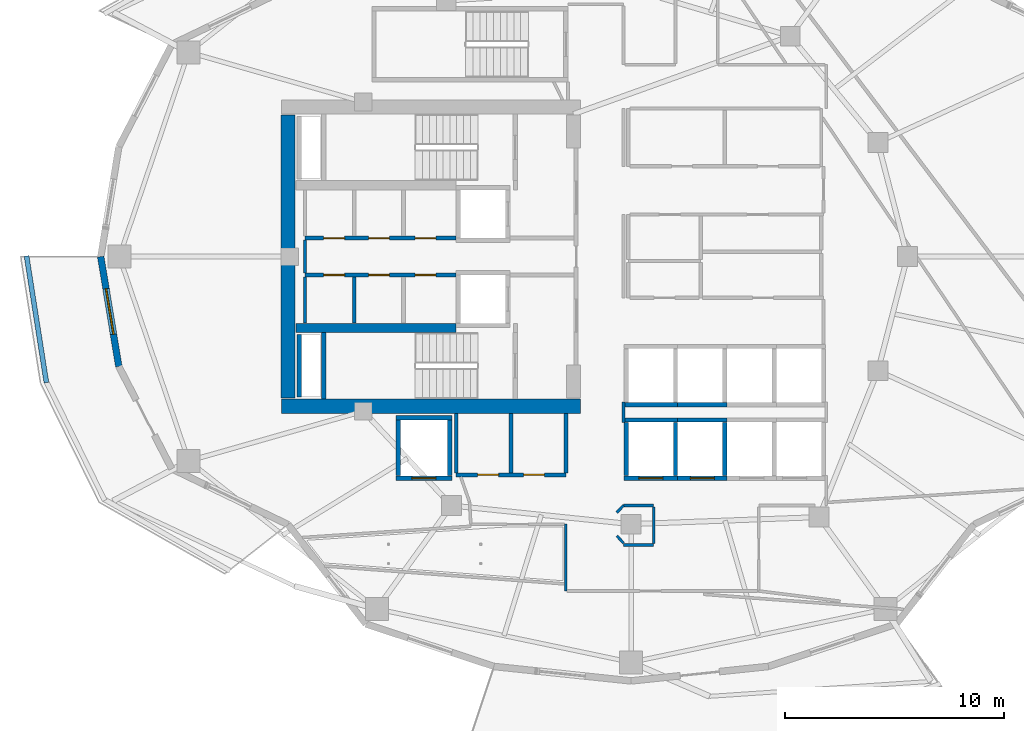
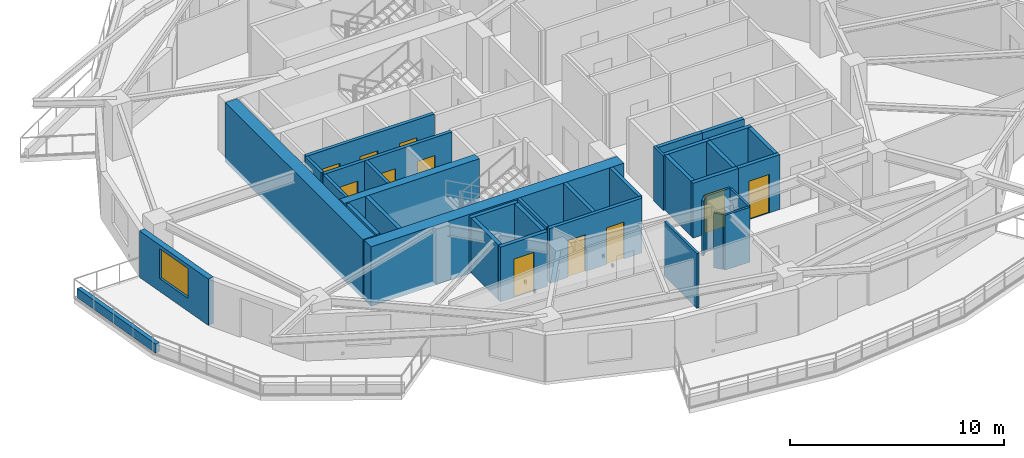
# One storey, part 3 of 17: 36 walls, 11 doors, 1 window, 12 openings.
"""IFC4 building model written with IfcOpenShell, lengths in metres."""

import ifcopenshell
import ifcopenshell.guid

model = None  # the IFC model being written
_history = None  # IfcOwnerHistory: only IFC2X3 demands one
_inside = {}  # id of a spatial element -> (the spatial element, [elements in it])
_under = {}  # id of a project, library or spatial element -> (it, [spatial elements below it])
_declared = {}  # id of a project -> (the project, [libraries it declares])
_typed = {}  # id of a type object -> (the type object, [elements of that type])
_made_of = {}  # id of a material, layer set ... -> (it, [elements and type objects made of it])


def new_model(schema):
    """Start an empty IFC model of exactly this schema.

    Asked for "IFC4X3", IfcOpenShell would pick the latest addendum, in which some entities
    have other attributes; the version numbers below select the first issue.
    IFC2X3 requires an IfcOwnerHistory on every rooted entity: one is made here for all.
    """
    global model, _history
    if schema == "IFC4X3":
        model = ifcopenshell.file(schema_version=(4, 3, 0, 0))
    else:
        model = ifcopenshell.file(schema=schema)
    _inside.clear()
    _under.clear()
    _declared.clear()
    _typed.clear()
    _made_of.clear()
    _history = None
    if model.schema == "IFC2X3":
        org = make("IfcOrganization", Name="unknown")
        user = make(
            "IfcPersonAndOrganization",
            ThePerson=make("IfcPerson", FamilyName="unknown"),
            TheOrganization=org,
        )
        app = make(
            "IfcApplication",
            ApplicationDeveloper=org,
            Version="unknown",
            ApplicationFullName="unknown",
            ApplicationIdentifier="unknown",
        )
        _history = make(
            "IfcOwnerHistory",
            OwningUser=user,
            OwningApplication=app,
            ChangeAction="ADDED",
            CreationDate=0,
        )
    return model


def make(cls, **values):
    """One entity of the class cls with the attributes given. An attribute that is None is left unset."""
    return model.create_entity(
        cls, **{name: value for name, value in values.items() if value is not None}
    )


def rooted(cls, **values):
    """An entity with a GlobalId (a new one), such as an element, a storey or a relation."""
    return make(cls, GlobalId=ifcopenshell.guid.new(), OwnerHistory=_history, **values)


def si_unit(unit_type, name, prefix=None):
    """IfcSIUnit, for example si_unit("LENGTHUNIT", "METRE", prefix="MILLI")."""
    return make("IfcSIUnit", UnitType=unit_type, Prefix=prefix, Name=name)


def assignment(units):
    """IfcUnitAssignment: the units of a project."""
    return None if units is None else make("IfcUnitAssignment", Units=units)


def point(xyz):
    """IfcCartesianPoint."""
    return None if xyz is None else make("IfcCartesianPoint", Coordinates=xyz)


def direction(xyz):
    """IfcDirection."""
    return None if xyz is None else make("IfcDirection", DirectionRatios=xyz)


def frame(location, z_axis=None, x_axis=None):
    """IfcAxis2Placement3D, a coordinate frame: its origin and axes. An axis left out is left unset."""
    return make(
        "IfcAxis2Placement3D",
        Location=point(location),
        Axis=direction(z_axis),
        RefDirection=direction(x_axis),
    )


def frame_2d(location, x_axis=None):
    """IfcAxis2Placement2D, a coordinate frame in the plane: its origin and x axis."""
    return make(
        "IfcAxis2Placement2D", Location=point(location), RefDirection=direction(x_axis)
    )


def origin():
    """The frame at (0, 0, 0) with its axes left unset."""
    return frame((0.0, 0.0, 0.0))


def place(relative_to, where):
    """IfcLocalPlacement: puts the frame where relative to a parent placement (None: the world)."""
    return make(
        "IfcLocalPlacement", PlacementRelTo=relative_to, RelativePlacement=where
    )


def context(
    kind, dimensions, precision=None, world=None, true_north=None, identifier=None
):
    """IfcGeometricRepresentationContext, for example the 3D "Model" context."""
    return make(
        "IfcGeometricRepresentationContext",
        ContextIdentifier=identifier,
        ContextType=kind,
        CoordinateSpaceDimension=dimensions,
        Precision=precision,
        WorldCoordinateSystem=world,
        TrueNorth=true_north,
    )


def subcontext(parent, identifier, kind, view, scale=None):
    """IfcGeometricRepresentationSubContext, for example "Body" below "Model"."""
    return make(
        "IfcGeometricRepresentationSubContext",
        ContextIdentifier=identifier,
        ContextType=kind,
        ParentContext=parent,
        TargetScale=scale,
        TargetView=view,
    )


def project(units=None, contexts=None):
    """IfcProject with its units and contexts."""
    return rooted(
        "IfcProject",
        Name="project",
        RepresentationContexts=contexts,
        UnitsInContext=assignment(units),
    )


def spatial(cls, under=None, at=None, **own):
    """A site, building, storey or space (cls), placed at a placement, below another one or the project."""
    s = rooted(cls, ObjectPlacement=at, **own)
    if under is not None:
        _under.setdefault(under.id(), (under, []))[1].append(s)
    return s


def profile(cls, at=None, kind="AREA", **sizes):
    """A parametric profile (cls). Its sizes go by their IFC names, for example OverallWidth=200.0."""
    return make(cls, ProfileType=kind, Position=at, **sizes)


def rectangle(**sizes):
    """IfcRectangleProfileDef."""
    return profile("IfcRectangleProfileDef", **sizes)


def extrude(swept, where, along, depth):
    """IfcExtrudedAreaSolid: the profile swept, set in the frame where, extruded along a direction by depth."""
    return make(
        "IfcExtrudedAreaSolid",
        SweptArea=swept,
        Position=where,
        ExtrudedDirection=direction(along),
        Depth=depth,
    )


def shape(context_of_items, identifier, shape_type, items):
    """IfcShapeRepresentation: the items that make up one representation, for example the "Body"."""
    return make(
        "IfcShapeRepresentation",
        ContextOfItems=context_of_items,
        RepresentationIdentifier=identifier,
        RepresentationType=shape_type,
        Items=items,
    )


def material(Name=None, Category=None):
    """IfcMaterial."""
    return make("IfcMaterial", Name=Name, Category=Category)


def layer(
    of_material, thickness, ventilated=None, Name=None, Category=None, Priority=None
):
    """IfcMaterialLayer: one layer of a wall or slab, of a material (None: an air gap)."""
    return make(
        "IfcMaterialLayer",
        Material=of_material,
        LayerThickness=thickness,
        IsVentilated=ventilated,
        Name=Name,
        Category=Category,
        Priority=Priority,
    )


def layer_set(layers, Name=None):
    """IfcMaterialLayerSet."""
    return make("IfcMaterialLayerSet", MaterialLayers=layers, LayerSetName=Name)


def made_of(thing, what):
    """Note that an element or type object is made of a material, layer set ...; save() writes the relation."""
    if what is not None:
        _made_of.setdefault(what.id(), (what, []))[1].append(thing)
    return thing


def type_object(cls, material=None, **own):
    """A type object (cls), such as IfcWallType, which elements share."""
    return made_of(rooted(cls, **own), material)


def element(
    cls,
    number,
    at=None,
    inside=None,
    cuts=None,
    type_object=None,
    material=None,
    context=None,
    identifier="Body",
    shape_type=None,
    held_by="IfcProductDefinitionShape",
    body=None,
    shapes=None,
    **own,
):
    """One element of the class cls, such as IfcWall. Its Tag is "e" and its number.

    at: its placement. inside: the storey or other place that contains it. cuts: it is an
    opening in that element (IfcRelVoidsElement). A single representation is given by context,
    identifier, shape_type and body (its items); several are given by shapes. held_by: the class
    of the entity that holds the representations. save() writes the other relations.
    """
    e = rooted(cls, Tag="e%d" % number, ObjectPlacement=at, **own)
    if body is not None:
        shapes = [shape(context, identifier, shape_type, body)]
    if shapes is not None:
        e.Representation = make(held_by, Representations=shapes)
    if inside is not None:
        _inside.setdefault(inside.id(), (inside, []))[1].append(e)
    if cuts is not None:
        rooted(
            "IfcRelVoidsElement", RelatingBuildingElement=cuts, RelatedOpeningElement=e
        )
    if type_object is not None:
        _typed.setdefault(type_object.id(), (type_object, []))[1].append(e)
    return made_of(e, material)


def fill(opening, filler):
    """IfcRelFillsElement: the door or window that sits in an opening."""
    return rooted(
        "IfcRelFillsElement",
        RelatingOpeningElement=opening,
        RelatedBuildingElement=filler,
    )


def aggregate(whole, parts):
    """IfcRelAggregates: a whole, such as a stair, and the parts it consists of."""
    return rooted("IfcRelAggregates", RelatingObject=whole, RelatedObjects=parts)


def save(model, path):
    """Write the relations noted so far, then the file.

    IfcRelAggregates (storeys below a building ...), IfcRelContainedInSpatialStructure (elements
    in a storey), IfcRelDefinesByType, IfcRelAssociatesMaterial and IfcRelDeclares: one each for
    every whole, place, type object, material and project.
    """
    for whole, parts in _under.values():
        aggregate(whole, parts)
    for where, things in _inside.values():
        rooted(
            "IfcRelContainedInSpatialStructure",
            RelatedElements=things,
            RelatingStructure=where,
        )
    for kind, things in _typed.values():
        rooted("IfcRelDefinesByType", RelatedObjects=things, RelatingType=kind)
    for what, things in _made_of.values():
        rooted("IfcRelAssociatesMaterial", RelatedObjects=things, RelatingMaterial=what)
    for by, libraries in _declared.values():
        rooted("IfcRelDeclares", RelatingContext=by, RelatedDefinitions=libraries)
    model.write(path)


model = new_model("IFC4")

# Units and contexts
model_context = context("Model", 3, precision=1e-05, world=origin(), true_north=direction((0.0, 1.0)))
body_context = subcontext(model_context, "Body", "Model", "MODEL_VIEW")
ifc_project = project(units=[si_unit("LENGTHUNIT", "METRE"), si_unit("AREAUNIT", "SQUARE_METRE"), si_unit("VOLUMEUNIT", "CUBIC_METRE"), si_unit("PLANEANGLEUNIT", "RADIAN"), si_unit("MASSUNIT", "GRAM", prefix="KILO")], contexts=[model_context])

# Site, building, storey
site_placement = place(None, origin())
site = spatial("IfcSite", under=ifc_project, at=site_placement, CompositionType="ELEMENT")
building_placement = place(site_placement, origin())
building = spatial("IfcBuilding", under=site, at=building_placement, Name="Kolvaren Gate Tower and Convention Centre", CompositionType="ELEMENT")
storey_placement = place(building_placement, frame((0.0, 0.0, 125.699951171875)))
storey = spatial("IfcBuildingStorey", under=building, at=storey_placement, Name="L31", CompositionType="ELEMENT", Elevation=125.699951171875)

# Wall, openings, doors
ifc_material_1 = material(Name="Autoclaved Aerated Masonry Blockwork Class 4 (4.0 MPa)", Category="masonry")
ifc_layer_1 = layer(ifc_material_1, 0.179931640625)
ifc_layer_set_1 = layer_set([ifc_layer_1], Name="Autoclaved Aerated Masonry Blockwork Class 4 (4.0 MPa)")
wall_type_1 = type_object("IfcWallType", Name="ARCH-WL-COMP-180", PredefinedType="SOLIDWALL", material=ifc_layer_set_1)
wall_1_placement = place(storey_placement, frame((15.25, 27.840087890625, 0.0), z_axis=(0.0, 0.0, 1.0), x_axis=(1.0, 0.0, 0.0)))
wall_1 = element("IfcWall", 1, at=wall_1_placement, inside=storey, type_object=wall_type_1, Name="Interior Partition WL-L31-INT-005", PredefinedType="SOLIDWALL", context=body_context, shape_type="SweptSolid", body=[
    extrude(rectangle(XDim=6.89990234375, YDim=0.179931640625, at=frame_2d((3.449951171875, 0.0))), origin(), (0.0, 0.0, 1.0), 3.130126953125),
])
opening_1_placement = place(wall_1_placement, frame((5.02001953125, 0.0, 0.0)))
opening_1 = element("IfcOpeningElement", 2, at=opening_1_placement, cuts=wall_1, Name="Opening DR-01", PredefinedType="OPENING", context=body_context, shape_type="SweptSolid", body=[
    extrude(rectangle(XDim=0.949951171875, YDim=2.10009765625, at=frame_2d((0.47509765625, 1.050048828125))), frame((0.0, 0.099853515625, 0.0), z_axis=(0.0, -1.0, 0.0), x_axis=(1.0, 0.0, 0.0)), (0.0, 0.0, 1.0), 0.199951171875),
])
opening_2_placement = place(wall_1_placement, frame((0.85498046875, 0.0, 0.0)))
opening_2 = element("IfcOpeningElement", 3, at=opening_2_placement, cuts=wall_1, Name="Opening DR-01", PredefinedType="OPENING", context=body_context, shape_type="SweptSolid", body=[
    extrude(rectangle(XDim=0.949951171875, YDim=2.10009765625, at=frame_2d((0.47509765625, 1.050048828125))), frame((0.0, 0.099853515625, 0.0), z_axis=(0.0, -1.0, 0.0), x_axis=(1.0, 0.0, 0.0)), (0.0, 0.0, 1.0), 0.199951171875),
])
opening_3_placement = place(wall_1_placement, frame((2.89990234375, 0.0, 0.0)))
opening_3 = element("IfcOpeningElement", 4, at=opening_3_placement, cuts=wall_1, Name="Opening DR-01", PredefinedType="OPENING", context=body_context, shape_type="SweptSolid", body=[
    extrude(rectangle(XDim=0.949951171875, YDim=2.10009765625, at=frame_2d((0.47509765625, 1.050048828125))), frame((0.0, 0.099853515625, 0.0), z_axis=(0.0, -1.0, 0.0), x_axis=(1.0, 0.0, 0.0)), (0.0, 0.0, 1.0), 0.199951171875),
])
ifc_material_2 = material(Name="Painted Architectural Steelwork ASTM A500 Grade C 345 MPa", Category="steel")
door_type_1 = type_object("IfcDoorType", Name="ARCH-DR-RISER-950", OperationType="SINGLE_SWING_RIGHT", PredefinedType="DOOR", material=ifc_material_2)
door_1_placement = place(opening_1_placement, origin())
door_1 = element("IfcDoor", 5, at=door_1_placement, inside=storey, type_object=door_type_1, Name="Electrical Switchgear Closet Door", OperationType="SINGLE_SWING_RIGHT", OverallHeight=2.10009765625, OverallWidth=0.949951171875, PredefinedType="DOOR", context=body_context, shape_type="SweptSolid", body=[
    extrude(rectangle(XDim=0.949951171875, YDim=2.10009765625, at=frame_2d((0.47509765625, 1.050048828125))), frame((0.0, 0.02490234375, 0.0), z_axis=(0.0, -1.0, 0.0), x_axis=(1.0, 0.0, 0.0)), (0.0, 0.0, 1.0), 0.050048828125),
])
fill(opening_1, door_1)
door_2_placement = place(opening_2_placement, origin())
door_2 = element("IfcDoor", 6, at=door_2_placement, inside=storey, type_object=door_type_1, Name="Staff Accessible WC Door", OperationType="SINGLE_SWING_RIGHT", OverallHeight=2.10009765625, OverallWidth=0.949951171875, PredefinedType="DOOR", context=body_context, shape_type="SweptSolid", body=[
    extrude(rectangle(XDim=0.949951171875, YDim=2.10009765625, at=frame_2d((0.47509765625, 1.050048828125))), frame((0.0, 0.02490234375, 0.0), z_axis=(0.0, -1.0, 0.0), x_axis=(1.0, 0.0, 0.0)), (0.0, 0.0, 1.0), 0.050048828125),
])
fill(opening_2, door_2)
door_3_placement = place(opening_3_placement, origin())
door_3 = element("IfcDoor", 7, at=door_3_placement, inside=storey, type_object=door_type_1, Name="Housekeeping Sink Closet Door", OperationType="SINGLE_SWING_LEFT", OverallHeight=2.10009765625, OverallWidth=0.949951171875, PredefinedType="DOOR", context=body_context, shape_type="SweptSolid", body=[
    extrude(rectangle(XDim=0.949951171875, YDim=2.10009765625, at=frame_2d((0.47509765625, 1.050048828125))), frame((0.0, 0.02490234375, 0.0), z_axis=(0.0, -1.0, 0.0), x_axis=(1.0, 0.0, 0.0)), (0.0, 0.0, 1.0), 0.050048828125),
])
fill(opening_3, door_3)

wall_2_placement = place(storey_placement, frame((15.25, 26.159912109375, 0.0), z_axis=(0.0, 0.0, 1.0), x_axis=(1.0, 0.0, 0.0)))
wall_2 = element("IfcWall", 8, at=wall_2_placement, inside=storey, type_object=wall_type_1, Name="Interior Partition WL-L31-INT-006", PredefinedType="SOLIDWALL", context=body_context, shape_type="SweptSolid", body=[
    extrude(rectangle(XDim=6.89990234375, YDim=0.179931640625, at=frame_2d((3.449951171875, 0.0))), origin(), (0.0, 0.0, 1.0), 3.130126953125),
])
opening_4_placement = place(wall_2_placement, frame((5.02001953125, 0.0, 0.0)))
opening_4 = element("IfcOpeningElement", 9, at=opening_4_placement, cuts=wall_2, Name="Opening DR-01", PredefinedType="OPENING", context=body_context, shape_type="SweptSolid", body=[
    extrude(rectangle(XDim=0.949951171875, YDim=2.10009765625, at=frame_2d((0.47509765625, 1.050048828125))), frame((0.0, 0.099853515625, 0.0), z_axis=(0.0, -1.0, 0.0), x_axis=(1.0, 0.0, 0.0)), (0.0, 0.0, 1.0), 0.199951171875),
])
opening_5_placement = place(wall_2_placement, frame((0.85498046875, 0.0, 0.0)))
opening_5 = element("IfcOpeningElement", 10, at=opening_5_placement, cuts=wall_2, Name="Opening DR-01", PredefinedType="OPENING", context=body_context, shape_type="SweptSolid", body=[
    extrude(rectangle(XDim=0.949951171875, YDim=2.10009765625, at=frame_2d((0.47509765625, 1.050048828125))), frame((0.0, 0.099853515625, 0.0), z_axis=(0.0, -1.0, 0.0), x_axis=(1.0, 0.0, 0.0)), (0.0, 0.0, 1.0), 0.199951171875),
])
opening_6_placement = place(wall_2_placement, frame((2.89990234375, 0.0, 0.0)))
opening_6 = element("IfcOpeningElement", 11, at=opening_6_placement, cuts=wall_2, Name="Opening DR-01", PredefinedType="OPENING", context=body_context, shape_type="SweptSolid", body=[
    extrude(rectangle(XDim=0.949951171875, YDim=2.10009765625, at=frame_2d((0.47509765625, 1.050048828125))), frame((0.0, 0.099853515625, 0.0), z_axis=(0.0, -1.0, 0.0), x_axis=(1.0, 0.0, 0.0)), (0.0, 0.0, 1.0), 0.199951171875),
])
door_4_placement = place(opening_4_placement, origin())
door_4 = element("IfcDoor", 12, at=door_4_placement, inside=storey, type_object=door_type_1, Name="Domestic Water Meter Closet Door", OperationType="SINGLE_SWING_LEFT", OverallHeight=2.10009765625, OverallWidth=0.949951171875, PredefinedType="DOOR", context=body_context, shape_type="SweptSolid", body=[
    extrude(rectangle(XDim=0.949951171875, YDim=2.10009765625, at=frame_2d((0.47509765625, 1.050048828125))), frame((0.0, 0.02490234375, 0.0), z_axis=(0.0, -1.0, 0.0), x_axis=(1.0, 0.0, 0.0)), (0.0, 0.0, 1.0), 0.050048828125),
])
fill(opening_4, door_4)
door_5_placement = place(opening_5_placement, origin())
door_5 = element("IfcDoor", 13, at=door_5_placement, inside=storey, type_object=door_type_1, Name="Beverage Service Pantry Door", OperationType="SINGLE_SWING_RIGHT", OverallHeight=2.10009765625, OverallWidth=0.949951171875, PredefinedType="DOOR", context=body_context, shape_type="SweptSolid", body=[
    extrude(rectangle(XDim=0.949951171875, YDim=2.10009765625, at=frame_2d((0.47509765625, 1.050048828125))), frame((0.0, 0.02490234375, 0.0), z_axis=(0.0, -1.0, 0.0), x_axis=(1.0, 0.0, 0.0)), (0.0, 0.0, 1.0), 0.050048828125),
])
fill(opening_5, door_5)
door_6_placement = place(opening_6_placement, origin())
door_6 = element("IfcDoor", 14, at=door_6_placement, inside=storey, type_object=door_type_1, Name="Archive Supply Closet Door", OperationType="SINGLE_SWING_LEFT", OverallHeight=2.10009765625, OverallWidth=0.949951171875, PredefinedType="DOOR", context=body_context, shape_type="SweptSolid", body=[
    extrude(rectangle(XDim=0.949951171875, YDim=2.10009765625, at=frame_2d((0.47509765625, 1.050048828125))), frame((0.0, 0.02490234375, 0.0), z_axis=(0.0, -1.0, 0.0), x_axis=(1.0, 0.0, 0.0)), (0.0, 0.0, 1.0), 0.050048828125),
])
fill(opening_6, door_6)

wall_3_placement = place(storey_placement, frame((22.14990234375, 17.050048828125, 0.0), z_axis=(0.0, 0.0, 1.0), x_axis=(1.0, 0.0, 0.0)))
wall_3 = element("IfcWall", 15, at=wall_3_placement, inside=storey, type_object=wall_type_1, Name="Interior Partition WL-L31-INT-012", PredefinedType="SOLIDWALL", context=body_context, shape_type="SweptSolid", body=[
    extrude(rectangle(XDim=5.0, YDim=0.179931640625, at=frame_2d((2.5, 0.0))), origin(), (0.0, 0.0, 1.0), 3.130126953125),
])
opening_7_placement = place(wall_3_placement, frame((0.97998046875, 0.0, 0.0)))
opening_7 = element("IfcOpeningElement", 16, at=opening_7_placement, cuts=wall_3, Name="Opening DR-01", PredefinedType="OPENING", context=body_context, shape_type="SweptSolid", body=[
    extrude(rectangle(XDim=0.949951171875, YDim=2.10009765625, at=frame_2d((0.47509765625, 1.050048828125))), frame((0.0, 0.099853515625, 0.0), z_axis=(0.0, -1.0, 0.0), x_axis=(1.0, 0.0, 0.0)), (0.0, 0.0, 1.0), 0.199951171875),
])
opening_8_placement = place(wall_3_placement, frame((3.070068359375, 0.0, 0.0)))
opening_8 = element("IfcOpeningElement", 17, at=opening_8_placement, cuts=wall_3, Name="Opening DR-01", PredefinedType="OPENING", context=body_context, shape_type="SweptSolid", body=[
    extrude(rectangle(XDim=0.949951171875, YDim=2.10009765625, at=frame_2d((0.47509765625, 1.050048828125))), frame((0.0, 0.099853515625, 0.0), z_axis=(0.0, -1.0, 0.0), x_axis=(1.0, 0.0, 0.0)), (0.0, 0.0, 1.0), 0.199951171875),
])
door_7_placement = place(opening_7_placement, origin())
door_7 = element("IfcDoor", 18, at=door_7_placement, inside=storey, type_object=door_type_1, Name="West Valet Store Door", OperationType="SINGLE_SWING_RIGHT", OverallHeight=2.10009765625, OverallWidth=0.949951171875, PredefinedType="DOOR", context=body_context, shape_type="SweptSolid", body=[
    extrude(rectangle(XDim=0.949951171875, YDim=2.10009765625, at=frame_2d((0.47509765625, 1.050048828125))), frame((0.0, 0.02490234375, 0.0), z_axis=(0.0, -1.0, 0.0), x_axis=(1.0, 0.0, 0.0)), (0.0, 0.0, 1.0), 0.050048828125),
])
fill(opening_7, door_7)
door_8_placement = place(opening_8_placement, origin())
door_8 = element("IfcDoor", 19, at=door_8_placement, inside=storey, type_object=door_type_1, Name="Metering Switch Room Door", OperationType="SINGLE_SWING_LEFT", OverallHeight=2.10009765625, OverallWidth=0.949951171875, PredefinedType="DOOR", context=body_context, shape_type="SweptSolid", body=[
    extrude(rectangle(XDim=0.949951171875, YDim=2.10009765625, at=frame_2d((0.47509765625, 1.050048828125))), frame((0.0, 0.02490234375, 0.0), z_axis=(0.0, -1.0, 0.0), x_axis=(1.0, 0.0, 0.0)), (0.0, 0.0, 1.0), 0.050048828125),
])
fill(opening_8, door_8)

# Walls
for number, where, z_axis, x_axis, name in (
    (20, (24.64990234375, 17.14208984375, 0.0), (0.0, 0.0, 1.0), (0.0, 1.0, 0.0), "Interior Partition WL-L31-INT-014"),
    (21, (27.14990234375, 17.14208984375, 0.0), (0.0, 0.0, 1.0), (0.0, 1.0, 0.0), "Interior Partition WL-L31-INT-016"),
):
    element("IfcWall", number, at=place(storey_placement, frame(where, z_axis=z_axis, x_axis=x_axis)), inside=storey, type_object=wall_type_1, Name=name, PredefinedType="SOLIDWALL", context=body_context, shape_type="SweptSolid", body=[
        extrude(rectangle(XDim=2.705810546875, YDim=0.179931640625, at=frame_2d((1.35302734375, 0.0))), origin(), (0.0, 0.0, 1.0), 3.130126953125),
    ])
ifc_material_3 = material(Name="Fire-Rated Acoustic Gypsum Stud Partition", Category="gypsum")
ifc_layer_2 = layer(ifc_material_3, 0.1201171875)
ifc_layer_set_2 = layer_set([ifc_layer_2], Name="Fire-Rated Acoustic Gypsum Stud Partition")
wall_type_2 = type_object("IfcWallType", Name="ARCH-WL-PART-120", PredefinedType="PARTITIONING", material=ifc_layer_set_2)
wall_4_placement = place(storey_placement, frame((27.14990234375, 11.75, 0.0), z_axis=(0.0, 0.0, 1.0), x_axis=(0.0, 1.0, 0.0)))
element("IfcWall", 22, at=wall_4_placement, inside=storey, type_object=wall_type_2, Name="Interior Partition WL-L31-INT-015", PredefinedType="PARTITIONING", context=body_context, shape_type="SweptSolid", body=[
    extrude(rectangle(XDim=3.050048828125, YDim=0.1201171875, at=frame_2d((1.52490234375, 0.0))), origin(), (0.0, 0.0, 1.0), 3.130126953125),
])
wall_5_placement = place(storey_placement, frame((29.780029296875, 15.64990234375, 0.0), z_axis=(0.0, 0.0, 1.0), x_axis=(1.0, 0.0, 0.0)))
element("IfcWall", 23, at=wall_5_placement, inside=storey, type_object=wall_type_2, Name="Interior Partition WL-L31-INT-031", PredefinedType="PARTITIONING", context=body_context, shape_type="SweptSolid", body=[
    extrude(rectangle(XDim=1.369873046875, YDim=0.1201171875, at=frame_2d((0.68505859375, 0.0))), origin(), (0.0, 0.0, 1.0), 3.130126953125),
])
wall_6_placement = place(storey_placement, frame((29.780029296875, 19.43994140625, 0.0), z_axis=(0.0, 0.0, 1.0), x_axis=(0.0, 1.0, 0.0)))
element("IfcWall", 24, at=wall_6_placement, inside=storey, type_object=wall_type_2, Name="Interior Partition WL-L31-INT-041", PredefinedType="PARTITIONING", context=body_context, shape_type="SweptSolid", body=[
    extrude(rectangle(XDim=0.920166015625, YDim=0.1201171875, at=frame_2d((0.4599609375, 0.0))), origin(), (0.0, 0.0, 1.0), 3.130126953125),
])
wall_7_placement = place(storey_placement, frame((29.47607421875, 15.3330078125, 0.0), z_axis=(0.0, 0.0, 1.0), x_axis=(0.692219273951, 0.721687243043, 0.0)))
element("IfcWall", 25, at=wall_7_placement, inside=storey, type_object=wall_type_2, Name="Interior Partition WL-L31-INT-057", PredefinedType="PARTITIONING", context=body_context, shape_type="SweptSolid", body=[
    extrude(rectangle(XDim=0.439208984375, YDim=0.1201171875, at=frame_2d((0.2197265625, 0.0))), origin(), (0.0, 0.0, 1.0), 3.130126953125),
])
wall_8_placement = place(storey_placement, frame((29.47607421875, 14.26708984375, 0.0), z_axis=(0.0, 0.0, 1.0), x_axis=(0.670659392016, -0.741765448037, 0.0)))
element("IfcWall", 26, at=wall_8_placement, inside=storey, type_object=wall_type_2, Name="Interior Partition WL-L31-INT-058", PredefinedType="PARTITIONING", context=body_context, shape_type="SweptSolid", body=[
    extrude(rectangle(XDim=0.453125, YDim=0.1201171875, at=frame_2d((0.2265625, 0.0))), origin(), (0.0, 0.0, 1.0), 3.130126953125),
])
wall_9_placement = place(storey_placement, frame((29.780029296875, 13.85009765625, 0.0), z_axis=(0.0, 0.0, 1.0), x_axis=(1.0, 0.0, 0.0)))
element("IfcWall", 27, at=wall_9_placement, inside=storey, type_object=wall_type_2, Name="Interior Partition WL-L31-INT-059", PredefinedType="PARTITIONING", context=body_context, shape_type="SweptSolid", body=[
    extrude(rectangle(XDim=1.369873046875, YDim=0.1201171875, at=frame_2d((0.68505859375, 0.0))), origin(), (0.0, 0.0, 1.0), 3.130126953125),
])
wall_10_placement = place(storey_placement, frame((31.14990234375, 13.912109375, 0.0), z_axis=(0.0, 0.0, 1.0), x_axis=(0.0, 1.0, 0.0)))
element("IfcWall", 28, at=wall_10_placement, inside=storey, type_object=wall_type_2, Name="Interior Partition WL-L31-INT-060", PredefinedType="PARTITIONING", context=body_context, shape_type="SweptSolid", body=[
    extrude(rectangle(XDim=1.67578125, YDim=0.1201171875, at=frame_2d((0.837890625, 0.0))), origin(), (0.0, 0.0, 1.0), 3.130126953125),
])
ifc_material_4 = material(Name="Piedmont Cream Honed Limestone Cladding", Category="masonry")
ifc_layer_3 = layer(ifc_material_4, 0.219970703125)
ifc_layer_set_3 = layer_set([ifc_layer_3], Name="Piedmont Cream Honed Limestone Cladding")
wall_type_3 = type_object("IfcWallType", Name="ARCH-WL-PLANTER-220", PredefinedType="PARAPET", material=ifc_layer_set_3)
wall_11_placement = place(storey_placement, frame((2.555908203125, 27.029296875, 0.0), z_axis=(0.0, 0.0, 1.0), x_axis=(0.154903030247, -0.987929679289, 0.0)))
element("IfcWall", 29, at=wall_11_placement, inside=storey, type_object=wall_type_3, Name="Vertical-Forest Balcony Stone Planter Kerb PK-L31-2.1", PredefinedType="PARAPET", context=body_context, shape_type="SweptSolid", body=[
    extrude(rectangle(XDim=5.845703125, YDim=0.219970703125, at=frame_2d((2.9228515625, 0.0))), origin(), (0.0, 0.0, 1.0), 0.52001953125),
])
ifc_layer_4 = layer(ifc_material_1, 0.199951171875)
ifc_layer_set_4 = layer_set([ifc_layer_4], Name="Autoclaved Aerated Masonry Blockwork Class 4 (4.0 MPa)")
wall_type_4 = type_object("IfcWallType", Name="ARCH-WL-SHAFT-200", PredefinedType="SOLIDWALL", material=ifc_layer_set_4)
wall_12_placement = place(storey_placement, frame((19.39990234375, 19.64990234375, 0.0), z_axis=(0.0, 0.0, 1.0), x_axis=(1.0, 0.0, 0.0)))
element("IfcWall", 30, at=wall_12_placement, inside=storey, type_object=wall_type_4, Name="Elevator SV-01 L31 Fire Shaft Wall N", PredefinedType="SOLIDWALL", context=body_context, shape_type="SweptSolid", body=[
    extrude(rectangle(XDim=2.550048828125, YDim=0.199951171875, at=frame_2d((1.27490234375, 0.0))), origin(), (0.0, 0.0, 1.0), 3.130126953125),
])

# Wall, opening, door
wall_13_placement = place(storey_placement, frame((19.39990234375, 16.89990234375, 0.0), z_axis=(0.0, 0.0, 1.0), x_axis=(1.0, 0.0, 0.0)))
wall_13 = element("IfcWall", 31, at=wall_13_placement, inside=storey, type_object=wall_type_4, Name="Elevator SV-01 L31 Fire Shaft Wall S", PredefinedType="SOLIDWALL", context=body_context, shape_type="SweptSolid", body=[
    extrude(rectangle(XDim=2.550048828125, YDim=0.199951171875, at=frame_2d((1.27490234375, 0.0))), origin(), (0.0, 0.0, 1.0), 3.130126953125),
])
opening_9_placement = place(wall_13_placement, frame((0.72509765625, 0.0, 0.0)))
opening_9 = element("IfcOpeningElement", 32, at=opening_9_placement, cuts=wall_13, Name="Opening LD", PredefinedType="OPENING", context=body_context, shape_type="SweptSolid", body=[
    extrude(rectangle(XDim=1.10009765625, YDim=2.199951171875, at=frame_2d((0.550048828125, 1.10009765625))), frame((0.0, 0.10986328125, 0.0), z_axis=(0.0, -1.0, 0.0), x_axis=(1.0, 0.0, 0.0)), (0.0, 0.0, 1.0), 0.219970703125),
])
ifc_material_5 = material(Name="Brushed Stainless Steel Grade 316L", Category="steel")
door_type_2 = type_object("IfcDoorType", Name="ARCH-DR-LIFT-1100", OperationType="SLIDING_TO_LEFT", PredefinedType="DOOR", material=ifc_material_5)
door_9_placement = place(opening_9_placement, origin())
door_9 = element("IfcDoor", 33, at=door_9_placement, inside=storey, type_object=door_type_2, Name="Elevator SV-01 L31 Sliding Landing Door", OperationType="SLIDING_TO_LEFT", OverallHeight=2.199951171875, OverallWidth=1.10009765625, PredefinedType="DOOR", context=body_context, shape_type="SweptSolid", body=[
    extrude(rectangle(XDim=1.10009765625, YDim=2.199951171875, at=frame_2d((0.550048828125, 1.10009765625))), frame((0.0, 0.02490234375, 0.0), z_axis=(0.0, -1.0, 0.0), x_axis=(1.0, 0.0, 0.0)), (0.0, 0.0, 1.0), 0.050048828125),
])
fill(opening_9, door_9)

# Walls
for number, where, z_axis, x_axis, name in (
    (34, (19.5, 17.010009765625, 0.0), (0.0, 0.0, 1.0), (0.0, 1.0, 0.0), "Elevator SV-01 L31 Fire Shaft Wall W"),
    (35, (21.85009765625, 17.010009765625, 0.0), (0.0, 0.0, 1.0), (0.0, 1.0, 0.0), "Elevator SV-01 L31 Fire Shaft Wall E"),
):
    element("IfcWall", number, at=place(storey_placement, frame(where, z_axis=z_axis, x_axis=x_axis)), inside=storey, type_object=wall_type_4, Name=name, PredefinedType="SOLIDWALL", context=body_context, shape_type="SweptSolid", body=[
        extrude(rectangle(XDim=2.530029296875, YDim=0.199951171875, at=frame_2d((1.26513671875, 0.0))), origin(), (0.0, 0.0, 1.0), 3.130126953125),
    ])
wall_14_placement = place(storey_placement, frame((29.800048828125, 19.550048828125, 0.0), z_axis=(0.0, 0.0, 1.0), x_axis=(1.0, 0.0, 0.0)))
element("IfcWall", 36, at=wall_14_placement, inside=storey, type_object=wall_type_4, Name="Elevator PL-05 L31 Fire Shaft Wall N", PredefinedType="SOLIDWALL", context=body_context, shape_type="SweptSolid", body=[
    extrude(rectangle(XDim=2.449951171875, YDim=0.199951171875, at=frame_2d((1.22509765625, 0.0))), origin(), (0.0, 0.0, 1.0), 3.130126953125),
])

# Wall, opening, door
wall_15_placement = place(storey_placement, frame((29.800048828125, 16.89990234375, 0.0), z_axis=(0.0, 0.0, 1.0), x_axis=(1.0, 0.0, 0.0)))
wall_15 = element("IfcWall", 37, at=wall_15_placement, inside=storey, type_object=wall_type_4, Name="Elevator PL-05 L31 Fire Shaft Wall S", PredefinedType="SOLIDWALL", context=body_context, shape_type="SweptSolid", body=[
    extrude(rectangle(XDim=2.449951171875, YDim=0.199951171875, at=frame_2d((1.22509765625, 0.0))), origin(), (0.0, 0.0, 1.0), 3.130126953125),
])
opening_10_placement = place(wall_15_placement, frame((0.675048828125, 0.0, 0.0)))
opening_10 = element("IfcOpeningElement", 38, at=opening_10_placement, cuts=wall_15, Name="Opening LD", PredefinedType="OPENING", context=body_context, shape_type="SweptSolid", body=[
    extrude(rectangle(XDim=1.10009765625, YDim=2.199951171875, at=frame_2d((0.550048828125, 1.10009765625))), frame((0.0, 0.10986328125, 0.0), z_axis=(0.0, -1.0, 0.0), x_axis=(1.0, 0.0, 0.0)), (0.0, 0.0, 1.0), 0.219970703125),
])
door_10_placement = place(opening_10_placement, origin())
door_10 = element("IfcDoor", 39, at=door_10_placement, inside=storey, type_object=door_type_2, Name="Elevator PL-05 L31 Sliding Landing Door", OperationType="SLIDING_TO_LEFT", OverallHeight=2.199951171875, OverallWidth=1.10009765625, PredefinedType="DOOR", context=body_context, shape_type="SweptSolid", body=[
    extrude(rectangle(XDim=1.10009765625, YDim=2.199951171875, at=frame_2d((0.550048828125, 1.10009765625))), frame((0.0, 0.02490234375, 0.0), z_axis=(0.0, -1.0, 0.0), x_axis=(1.0, 0.0, 0.0)), (0.0, 0.0, 1.0), 0.050048828125),
])
fill(opening_10, door_10)

# Walls
for number, where, z_axis, x_axis, name in (
    (40, (29.89990234375, 17.010009765625, 0.0), (0.0, 0.0, 1.0), (0.0, 1.0, 0.0), "Elevator PL-05 L31 Fire Shaft Wall W"),
    (41, (32.14990234375, 17.010009765625, 0.0), (0.0, 0.0, 1.0), (0.0, 1.0, 0.0), "Elevator PL-05 L31 Fire Shaft Wall E"),
):
    element("IfcWall", number, at=place(storey_placement, frame(where, z_axis=z_axis, x_axis=x_axis)), inside=storey, type_object=wall_type_4, Name=name, PredefinedType="SOLIDWALL", context=body_context, shape_type="SweptSolid", body=[
        extrude(rectangle(XDim=2.429931640625, YDim=0.199951171875, at=frame_2d((1.21484375, 0.0))), origin(), (0.0, 0.0, 1.0), 3.130126953125),
    ])
wall_16_placement = place(storey_placement, frame((32.25, 19.550048828125, 0.0), z_axis=(0.0, 0.0, 1.0), x_axis=(1.0, 0.0, 0.0)))
element("IfcWall", 42, at=wall_16_placement, inside=storey, type_object=wall_type_4, Name="Elevator PL-06 L31 Fire Shaft Wall N", PredefinedType="SOLIDWALL", context=body_context, shape_type="SweptSolid", body=[
    extrude(rectangle(XDim=2.25, YDim=0.199951171875, at=frame_2d((1.125, 0.0))), origin(), (0.0, 0.0, 1.0), 3.130126953125),
])

# Wall, opening, door
wall_17_placement = place(storey_placement, frame((32.25, 16.89990234375, 0.0), z_axis=(0.0, 0.0, 1.0), x_axis=(1.0, 0.0, 0.0)))
wall_17 = element("IfcWall", 43, at=wall_17_placement, inside=storey, type_object=wall_type_4, Name="Elevator PL-06 L31 Fire Shaft Wall S", PredefinedType="SOLIDWALL", context=body_context, shape_type="SweptSolid", body=[
    extrude(rectangle(XDim=2.25, YDim=0.199951171875, at=frame_2d((1.125, 0.0))), origin(), (0.0, 0.0, 1.0), 3.130126953125),
])
opening_11_placement = place(wall_17_placement, frame((0.574951171875, 0.0, 0.0)))
opening_11 = element("IfcOpeningElement", 44, at=opening_11_placement, cuts=wall_17, Name="Opening LD", PredefinedType="OPENING", context=body_context, shape_type="SweptSolid", body=[
    extrude(rectangle(XDim=1.10009765625, YDim=2.199951171875, at=frame_2d((0.550048828125, 1.10009765625))), frame((0.0, 0.10986328125, 0.0), z_axis=(0.0, -1.0, 0.0), x_axis=(1.0, 0.0, 0.0)), (0.0, 0.0, 1.0), 0.219970703125),
])
door_11_placement = place(opening_11_placement, origin())
door_11 = element("IfcDoor", 45, at=door_11_placement, inside=storey, type_object=door_type_2, Name="Elevator PL-06 L31 Sliding Landing Door", OperationType="SLIDING_TO_LEFT", OverallHeight=2.199951171875, OverallWidth=1.10009765625, PredefinedType="DOOR", context=body_context, shape_type="SweptSolid", body=[
    extrude(rectangle(XDim=1.10009765625, YDim=2.199951171875, at=frame_2d((0.550048828125, 1.10009765625))), frame((0.0, 0.02490234375, 0.0), z_axis=(0.0, -1.0, 0.0), x_axis=(1.0, 0.0, 0.0)), (0.0, 0.0, 1.0), 0.050048828125),
])
fill(opening_11, door_11)

# Walls
wall_18_placement = place(storey_placement, frame((34.39990234375, 17.010009765625, 0.0), z_axis=(0.0, 0.0, 1.0), x_axis=(0.0, 1.0, 0.0)))
element("IfcWall", 46, at=wall_18_placement, inside=storey, type_object=wall_type_4, Name="Elevator PL-06 L31 Fire Shaft Wall E", PredefinedType="SOLIDWALL", context=body_context, shape_type="SweptSolid", body=[
    extrude(rectangle(XDim=2.429931640625, YDim=0.199951171875, at=frame_2d((1.21484375, 0.0))), origin(), (0.0, 0.0, 1.0), 3.130126953125),
])
wall_19_placement = place(storey_placement, frame((29.800048828125, 20.25, 0.0), z_axis=(0.0, 0.0, 1.0), x_axis=(1.0, 0.0, 0.0)))
element("IfcWall", 47, at=wall_19_placement, inside=storey, type_object=wall_type_4, Name="Elevator PL-09 L31 Fire Shaft Wall S", PredefinedType="SOLIDWALL", context=body_context, shape_type="SweptSolid", body=[
    extrude(rectangle(XDim=2.449951171875, YDim=0.199951171875, at=frame_2d((1.22509765625, 0.0))), origin(), (0.0, 0.0, 1.0), 3.130126953125),
])
wall_20_placement = place(storey_placement, frame((32.25, 20.25, 0.0), z_axis=(0.0, 0.0, 1.0), x_axis=(1.0, 0.0, 0.0)))
element("IfcWall", 48, at=wall_20_placement, inside=storey, type_object=wall_type_4, Name="Elevator PL-10 L31 Fire Shaft Wall S", PredefinedType="SOLIDWALL", context=body_context, shape_type="SweptSolid", body=[
    extrude(rectangle(XDim=2.25, YDim=0.199951171875, at=frame_2d((1.125, 0.0))), origin(), (0.0, 0.0, 1.0), 3.130126953125),
])
wall_21_placement = place(storey_placement, frame((14.989990234375, 20.60009765625, 0.0), z_axis=(0.0, 0.0, 1.0), x_axis=(0.0, 1.0, 0.0)))
element("IfcWall", 49, at=wall_21_placement, inside=storey, type_object=wall_type_4, Name="Vertical Shaft MPR L31 EI-120 Enclosure Wall W", PredefinedType="SOLIDWALL", context=body_context, shape_type="SweptSolid", body=[
    extrude(rectangle(XDim=2.849853515625, YDim=0.199951171875, at=frame_2d((1.4248046875, 0.0))), origin(), (0.0, 0.0, 1.0), 3.130126953125),
])

# Wall, opening, window
ifc_layer_5 = layer(ifc_material_4, 0.300048828125)
ifc_layer_set_5 = layer_set([ifc_layer_5], Name="Piedmont Cream Honed Limestone Cladding")
wall_type_5 = type_object("IfcWallType", Name="ARCH-WL-STONE-300", PredefinedType="SOLIDWALL", material=ifc_layer_set_5)
wall_22_placement = place(storey_placement, frame((5.9375, 27.0, 0.0), z_axis=(0.0, 0.0, 1.0), x_axis=(0.162393944769, -0.986726003864, 0.0)))
wall_22 = element("IfcWall", 50, at=wall_22_placement, inside=storey, type_object=wall_type_5, Name="Tower L31 Honed Stone Spandrel Wall EW-12", PredefinedType="SOLIDWALL", context=body_context, shape_type="SweptSolid", body=[
    extrude(rectangle(XDim=5.075439453125, YDim=0.300048828125, at=frame_2d((2.53759765625, 0.0))), origin(), (0.0, 0.0, 1.0), 2.653076171875),
])
opening_12_placement = place(wall_22_placement, frame((1.488037109375, 0.0, 0.739990234375)))
opening_12 = element("IfcOpeningElement", 51, at=opening_12_placement, cuts=wall_22, Name="Opening W-02", PredefinedType="OPENING", context=body_context, shape_type="SweptSolid", body=[
    extrude(rectangle(XDim=2.10009765625, YDim=1.699951171875, at=frame_2d((1.050048828125, 0.85009765625))), frame((0.0, 0.159912109375, 0.0), z_axis=(0.0, -1.0, 0.0), x_axis=(1.0, 0.0, 0.0)), (0.0, 0.0, 1.0), 0.320068359375),
])
ifc_material_6 = material(Name="Low-E Triple Insulated Glazing Unit 44 mm", Category="glass")
window_type = type_object("IfcWindowType", Name="ARCH-WN-HTL-2100", PartitioningType="SINGLE_PANEL", PredefinedType="WINDOW", material=ifc_material_6)
window_placement = place(opening_12_placement, origin())
window = element("IfcWindow", 52, at=window_placement, inside=storey, type_object=window_type, Name="Tower L31 Punched Stone Facade Window W-12", OverallHeight=1.699951171875, OverallWidth=2.10009765625, PartitioningType="SINGLE_PANEL", PredefinedType="WINDOW", context=body_context, shape_type="SweptSolid", body=[
    extrude(rectangle(XDim=2.10009765625, YDim=1.699951171875, at=frame_2d((1.050048828125, 0.85009765625))), frame((0.0, 0.030029296875, 0.0), z_axis=(0.0, -1.0, 0.0), x_axis=(1.0, 0.0, 0.0)), (0.0, 0.0, 1.0), 0.06005859375),
])
fill(opening_12, window)

# Walls
ifc_material_7 = material(Name="Moisture-Resistant Cement-Board Acoustic Partition", Category="gypsum")
ifc_layer_6 = layer(ifc_material_7, 0.14990234375)
ifc_layer_set_6 = layer_set([ifc_layer_6], Name="Moisture-Resistant Cement-Board Acoustic Partition")
wall_type_6 = type_object("IfcWallType", Name="ARCH-WL-WET-150", PredefinedType="PARTITIONING", material=ifc_layer_set_6)
wall_23_placement = place(storey_placement, frame((15.25, 23.9619140625, 0.0), z_axis=(0.0, 0.0, 1.0), x_axis=(0.0, 1.0, 0.0)))
element("IfcWall", 53, at=wall_23_placement, inside=storey, type_object=wall_type_6, Name="Interior Partition WL-L31-INT-007", PredefinedType="PARTITIONING", context=body_context, shape_type="SweptSolid", body=[
    extrude(rectangle(XDim=2.106201171875, YDim=0.14990234375, at=frame_2d((1.05322265625, 0.0))), origin(), (0.0, 0.0, 1.0), 3.130126953125),
])
wall_24_placement = place(storey_placement, frame((15.25, 26.251953125, 0.0), z_axis=(0.0, 0.0, 1.0), x_axis=(0.0, 1.0, 0.0)))
element("IfcWall", 54, at=wall_24_placement, inside=storey, type_object=wall_type_6, Name="Interior Partition WL-L31-INT-007 (2)", PredefinedType="PARTITIONING", context=body_context, shape_type="SweptSolid", body=[
    extrude(rectangle(XDim=1.49609375, YDim=0.14990234375, at=frame_2d((0.748046875, 0.0))), origin(), (0.0, 0.0, 1.0), 3.130126953125),
])
wall_25_placement = place(storey_placement, frame((17.5, 23.9619140625, 0.0), z_axis=(0.0, 0.0, 1.0), x_axis=(0.0, 1.0, 0.0)))
element("IfcWall", 55, at=wall_25_placement, inside=storey, type_object=wall_type_6, Name="Interior Partition WL-L31-INT-010", PredefinedType="PARTITIONING", context=body_context, shape_type="SweptSolid", body=[
    extrude(rectangle(XDim=2.106201171875, YDim=0.14990234375, at=frame_2d((1.05322265625, 0.0))), origin(), (0.0, 0.0, 1.0), 3.130126953125),
])
wall_26_placement = place(storey_placement, frame((22.14990234375, 17.14208984375, 0.0), z_axis=(0.0, 0.0, 1.0), x_axis=(0.0, 1.0, 0.0)))
element("IfcWall", 56, at=wall_26_placement, inside=storey, type_object=wall_type_6, Name="Interior Partition WL-L31-INT-013", PredefinedType="PARTITIONING", context=body_context, shape_type="SweptSolid", body=[
    extrude(rectangle(XDim=2.705810546875, YDim=0.14990234375, at=frame_2d((1.35302734375, 0.0))), origin(), (0.0, 0.0, 1.0), 3.130126953125),
])
ifc_material_8 = material(Name="Concrete C50/60", Category="concrete")
ifc_layer_7 = layer(ifc_material_8, 0.419921875)
ifc_layer_set_7 = layer_set([ifc_layer_7], Name="Concrete C50/60")
wall_type_7 = type_object("IfcWallType", Name="STR-WL-CONV-420", PredefinedType="SHEAR", material=ifc_layer_set_7)
wall_27_placement = place(storey_placement, frame((14.85009765625, 23.75, -0.27001953125), z_axis=(0.0, 0.0, 1.0), x_axis=(1.0, 0.0, 0.0)))
element("IfcWall", 57, at=wall_27_placement, inside=storey, type_object=wall_type_7, Name="Tower L31 Offset Core Shear Wall WS", PredefinedType="SHEAR", context=body_context, shape_type="SweptSolid", body=[
    extrude(rectangle(XDim=7.2998046875, YDim=0.419921875, at=frame_2d((3.64990234375, 0.0))), origin(), (0.0, 0.0, 1.0), 3.400146484375),
])
ifc_material_9 = material(Name="Concrete C60/75", Category="concrete")
ifc_layer_8 = layer(ifc_material_9, 0.64990234375)
ifc_layer_set_8 = layer_set([ifc_layer_8], Name="Concrete C60/75")
wall_type_8 = type_object("IfcWallType", Name="STR-WL-CORE-650", PredefinedType="SHEAR", material=ifc_layer_set_8)
wall_28_placement = place(storey_placement, frame((14.175048828125, 20.175048828125, -0.27001953125), z_axis=(0.0, 0.0, 1.0), x_axis=(1.0, 0.0, 0.0)))
element("IfcWall", 58, at=wall_28_placement, inside=storey, type_object=wall_type_8, Name="Tower L31 Offset Core Shear Wall S", PredefinedType="SHEAR", context=body_context, shape_type="SweptSolid", body=[
    extrude(rectangle(XDim=13.64990234375, YDim=0.64990234375, at=frame_2d((6.824951171875, 0.0))), origin(), (0.0, 0.0, 1.0), 3.400146484375),
])
wall_29_placement = place(storey_placement, frame((14.47509765625, 20.550048828125, -0.27001953125), z_axis=(0.0, 0.0, 1.0), x_axis=(0.0, 1.0, 0.0)))
element("IfcWall", 59, at=wall_29_placement, inside=storey, type_object=wall_type_8, Name="Tower L31 Offset Core Shear Wall W", PredefinedType="SHEAR", context=body_context, shape_type="SweptSolid", body=[
    extrude(rectangle(XDim=12.89990234375, YDim=0.64990234375, at=frame_2d((6.449951171875, 0.0))), origin(), (0.0, 0.0, 1.0), 3.400146484375),
])
ifc_layer_9 = layer(ifc_material_8, 0.199951171875)
ifc_layer_set_9 = layer_set([ifc_layer_9], Name="Concrete C50/60")
wall_type_9 = type_object("IfcWallType", Name="STR-WL-SHAFT-200", PredefinedType="SHEAR", material=ifc_layer_set_9)
wall_30_placement = place(storey_placement, frame((16.10009765625, 20.501953125, -0.27001953125), z_axis=(0.0, 0.0, 1.0), x_axis=(0.0, 1.0, 0.0)))
element("IfcWall", 60, at=wall_30_placement, inside=storey, type_object=wall_type_9, Name="Tower South Exit Stair ST-T2 L31 Structural Shear Enclosure Wall FAR", PredefinedType="SHEAR", context=body_context, shape_type="SweptSolid", body=[
    extrude(rectangle(XDim=3.0361328125, YDim=0.199951171875, at=frame_2d((1.51806640625, 0.0))), origin(), (0.0, 0.0, 1.0), 3.400146484375),
])

save(model, "model.ifc")
